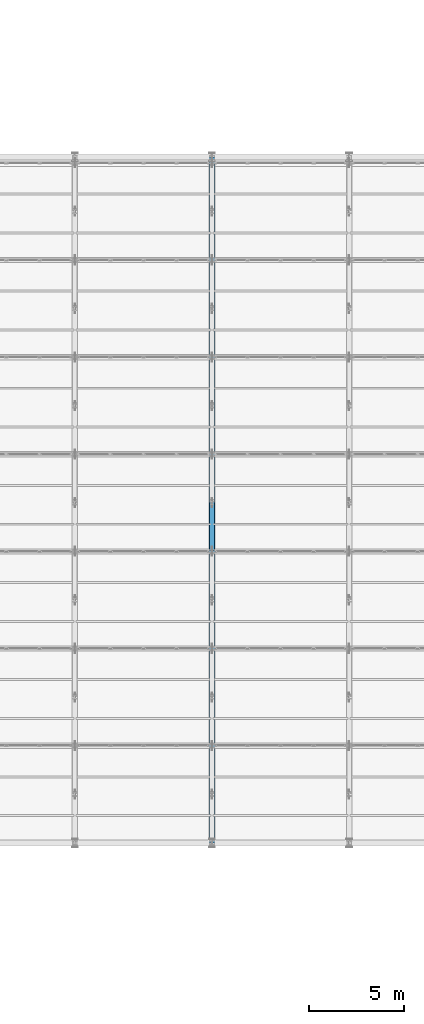
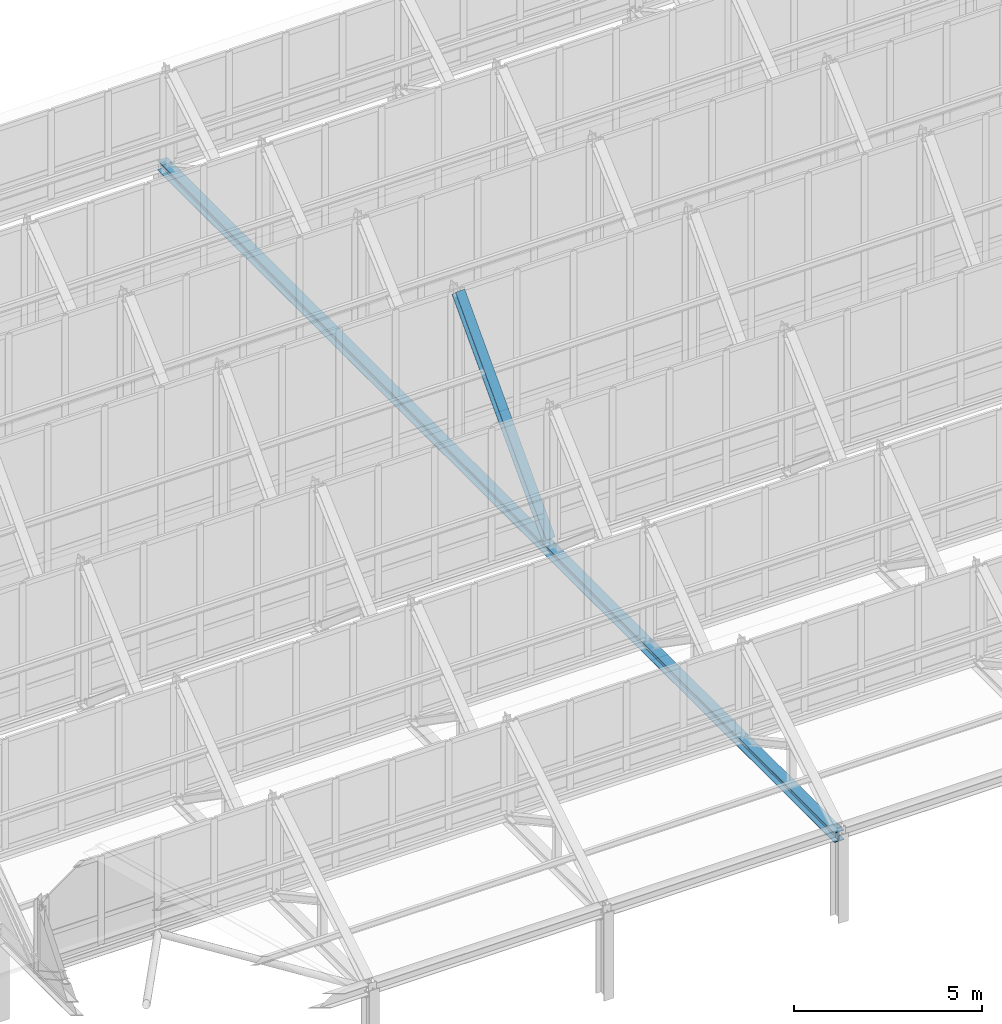
# One storey, part 49 of 157: 2 members.
"""IFC4 building model written with IfcOpenShell, lengths in metres."""

from ifc_helpers import new_model, si_unit, direction, frame, origin, origin_2d, place, context, subcontext, project, spatial, i_section, extrude, material, material_profile, profile_set, type_object, element, save


model = new_model("IFC4")

# Units and contexts
model_context = context("Model", 3, precision=1e-05, world=origin(), true_north=direction((0.0, 1.0)))
body_context = subcontext(model_context, "Body", "Model", "MODEL_VIEW")
ifc_project = project(units=[si_unit("LENGTHUNIT", "METRE"), si_unit("AREAUNIT", "SQUARE_METRE"), si_unit("VOLUMEUNIT", "CUBIC_METRE"), si_unit("PLANEANGLEUNIT", "RADIAN"), si_unit("MASSUNIT", "GRAM", prefix="KILO")], contexts=[model_context])

# Site, building, storey
site_placement = place(None, origin())
site = spatial("IfcSite", under=ifc_project, at=site_placement, CompositionType="ELEMENT")
building_placement = place(site_placement, origin())
building = spatial("IfcBuilding", under=site, at=building_placement, Name="Suanplinth Sawtooth Commons", CompositionType="ELEMENT")
storey_placement = place(building_placement, frame((0.0, 0.0, 9.0)))
storey = spatial("IfcBuildingStorey", under=building, at=storey_placement, Name="L02", CompositionType="ELEMENT", Elevation=9.0)

# Members
ifc_material = material(Name="Steel S355JR", Category="steel")
ifc_material_profile_1 = material_profile(ifc_material, i_section(OverallWidth=0.300048828125, OverallDepth=0.320068359375, WebThickness=0.011474609375, FlangeThickness=0.0205078125, at=origin_2d()), Name="HEB 320")
ifc_profile_set_1 = profile_set([ifc_material_profile_1], Name="Steel S355JR")
member_type_1 = type_object("IfcMemberType", Name="M-01", PredefinedType="CHORD", material=ifc_profile_set_1)
member_1_placement = place(storey_placement, frame((86.39990234375, 50.39990234375, 2.64990234375), z_axis=(0.0, 1.0, 0.0), x_axis=(-1.0, 0.0, 0.0)))
element("IfcMember", 1, at=member_1_placement, inside=storey, type_object=member_type_1, Name="Sawtooth Truss T4 Bottom Chord", PredefinedType="CHORD", context=body_context, shape_type="SweptSolid", body=[
    extrude(i_section(OverallWidth=0.300048828125, OverallDepth=0.320068359375, WebThickness=0.011474609375, FlangeThickness=0.0205078125, at=origin_2d()), origin(), (0.0, 0.0, 1.0), 36.0),
])
ifc_material_profile_2 = material_profile(ifc_material, i_section(OverallWidth=0.280029296875, OverallDepth=0.280029296875, WebThickness=0.010498046875, FlangeThickness=0.01806640625, at=origin_2d()), Name="HEB 280")
ifc_profile_set_2 = profile_set([ifc_material_profile_2], Name="Steel S355JR")
member_type_2 = type_object("IfcMemberType", Name="M-02", PredefinedType="CHORD", material=ifc_profile_set_2)
member_2_placement = place(storey_placement, frame((86.39990234375, 65.840087890625, 2.919921875), z_axis=(0.0, 0.685431841642, 0.728136793785), x_axis=(-1.0, 0.0, 0.0)))
element("IfcMember", 2, at=member_2_placement, inside=storey, type_object=member_type_2, Name="Sawtooth Truss T4 Top Chord 4", PredefinedType="CHORD", context=body_context, shape_type="SweptSolid", body=[
    extrude(i_section(OverallWidth=0.280029296875, OverallDepth=0.280029296875, WebThickness=0.010498046875, FlangeThickness=0.01806640625, at=origin_2d()), origin(), (0.0, 0.0, 1.0), 7.03173828125),
])

save(model, "model.ifc")
